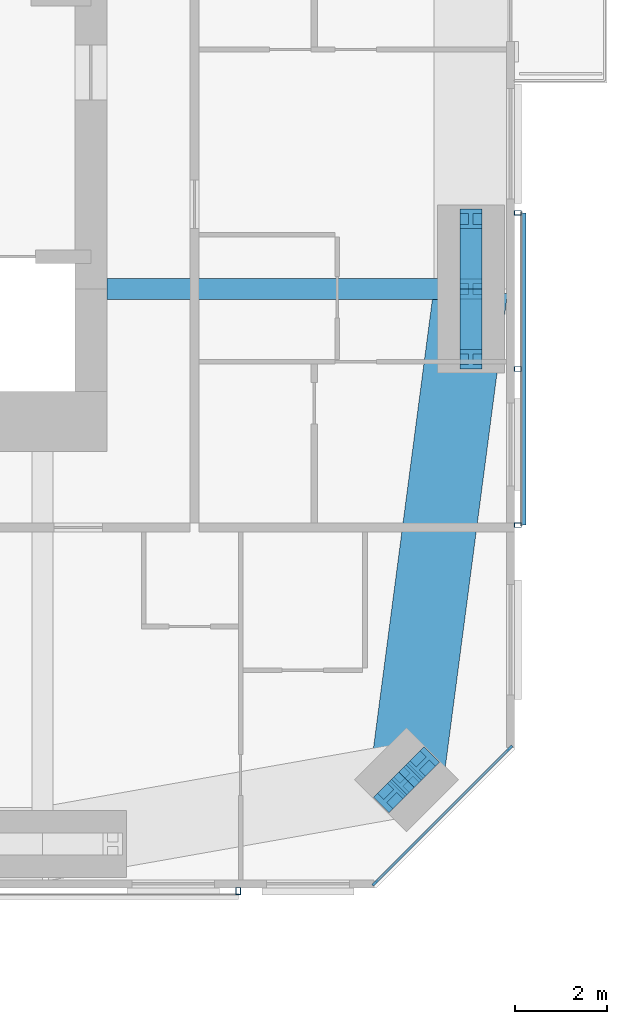
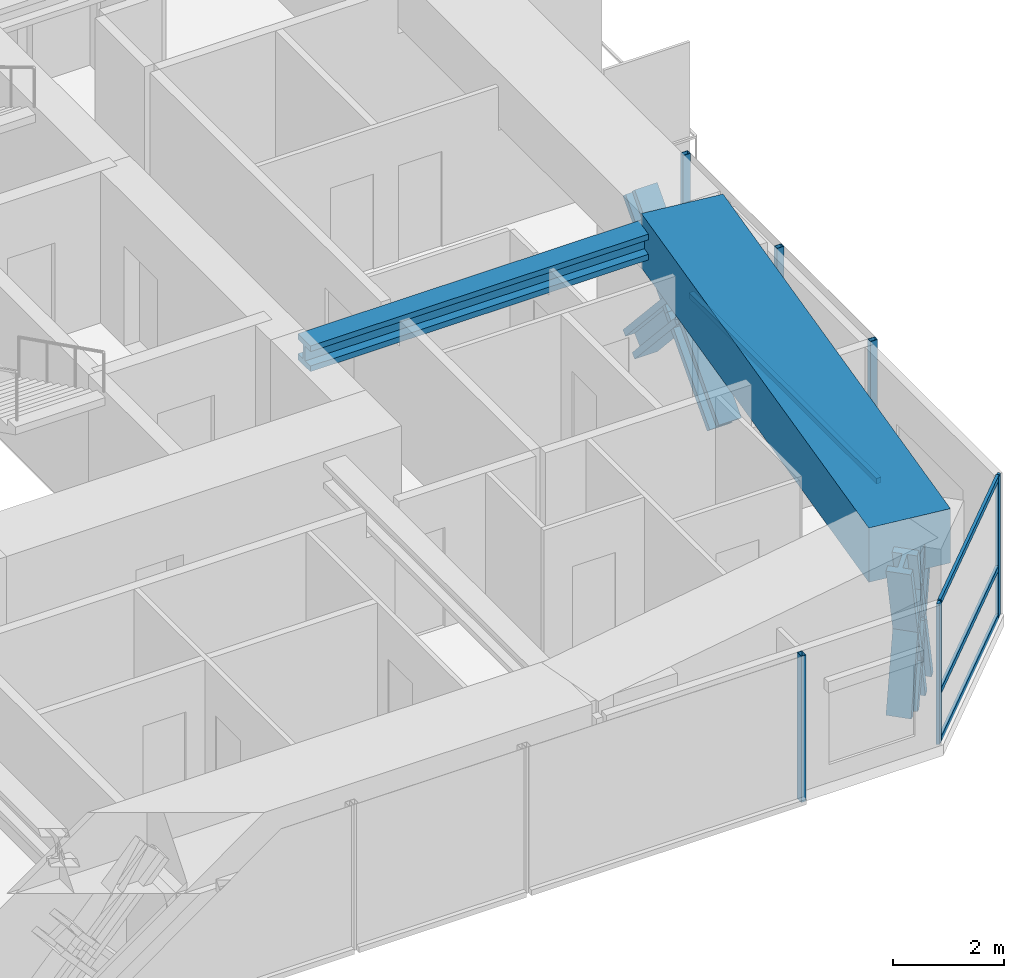
# One storey, part 8 of 23: 18 members, 2 beams, 3 elements without a shape of their own.
"""IFC4 building model written with IfcOpenShell, lengths in metres."""

from ifc_helpers import new_model, si_unit, direction, frame, origin, origin_2d, place, context, subcontext, project, spatial, rectangle, hollow_rectangle, i_section, extrude, material, material_profile, profile_set, type_object, element, aggregate, save


model = new_model("IFC4")

# Units and contexts
model_context = context("Model", 3, precision=1e-05, world=origin(), true_north=direction((0.0, 1.0)))
body_context = subcontext(model_context, "Body", "Model", "MODEL_VIEW")
ifc_project = project(units=[si_unit("LENGTHUNIT", "METRE"), si_unit("AREAUNIT", "SQUARE_METRE"), si_unit("VOLUMEUNIT", "CUBIC_METRE"), si_unit("PLANEANGLEUNIT", "RADIAN"), si_unit("MASSUNIT", "GRAM", prefix="KILO")], contexts=[model_context])

# Site, building, storey
site_placement = place(None, origin())
site = spatial("IfcSite", under=ifc_project, at=site_placement, CompositionType="ELEMENT")
building_placement = place(site_placement, origin())
building = spatial("IfcBuilding", under=site, at=building_placement, Name="Jalousie Tower", CompositionType="ELEMENT")
storey_placement = place(building_placement, frame((0.0, 0.0, 187.85009765625)))
storey = spatial("IfcBuildingStorey", under=building, at=storey_placement, Name="L51", CompositionType="ELEMENT", Elevation=187.85009765625)

# Curtain wall, members
ifc_material_1 = material(Name="Aluminium curtain wall", Category="aluminium")
curtain_wall_type_1 = type_object("IfcCurtainWallType", Name="CORNER WINDOW WALL", PredefinedType="USERDEFINED", material=ifc_material_1)
curtain_wall_1_placement = place(storey_placement, origin())
curtain_wall_1 = element("IfcCurtainWall", 1, at=curtain_wall_1_placement, inside=storey, type_object=curtain_wall_type_1, Name="Corner Window Wall L51 2", ObjectType="CORNER WINDOW WALL", PredefinedType="USERDEFINED")
ifc_material_2 = material(Name="Aluminium mullion", Category="aluminium")
ifc_material_profile_1 = material_profile(ifc_material_2, rectangle(XDim=0.06005859375, YDim=0.14990234375, at=origin_2d()), Name="MULLION 60x150")
ifc_profile_set_1 = profile_set([ifc_material_profile_1], Name="Aluminium mullion")
member_type_1 = type_object("IfcMemberType", Name="CORNER WINDOW WALL MULLION", PredefinedType="MULLION", material=ifc_profile_set_1)
member_1_placement = place(storey_placement, frame((49.969970703125, 0.108642578125, 0.0), z_axis=(0.0, 0.0, 1.0), x_axis=(-0.707106781187, 0.707106781187, 0.0)))
member_1 = element("IfcMember", 2, at=member_1_placement, type_object=member_type_1, Name="CW-C mullion 1", PredefinedType="MULLION", context=body_context, shape_type="SweptSolid", body=[
    extrude(rectangle(XDim=0.06005859375, YDim=0.14990234375, at=origin_2d()), origin(), (0.0, 0.0, 1.0), 3.10986328125),
])
member_2_placement = place(storey_placement, frame((52.891357421875, 3.030029296875, 0.0), z_axis=(0.0, 0.0, 1.0), x_axis=(-0.707106781187, 0.707106781187, 0.0)))
member_2 = element("IfcMember", 3, at=member_2_placement, type_object=member_type_1, Name="CW-C mullion 2", PredefinedType="MULLION", context=body_context, shape_type="SweptSolid", body=[
    extrude(rectangle(XDim=0.06005859375, YDim=0.14990234375, at=origin_2d()), origin(), (0.0, 0.0, 1.0), 3.10986328125),
])
ifc_material_3 = material(Name="Aluminium transom", Category="aluminium")
ifc_material_profile_2 = material_profile(ifc_material_3, rectangle(XDim=0.06005859375, YDim=0.1201171875, at=origin_2d()), Name="TRANSOM 60x120")
ifc_profile_set_2 = profile_set([ifc_material_profile_2], Name="Aluminium transom")
member_type_2 = type_object("IfcMemberType", Name="CORNER WINDOW WALL TRANSOM", PredefinedType="USERDEFINED", material=ifc_profile_set_2)
member_3_placement = place(storey_placement, frame((49.9912109375, 0.1298828125, 0.02978515625), z_axis=(0.707106781187, 0.707106781187, 0.0), x_axis=(-0.707106781187, 0.707106781187, 0.0)))
member_3 = element("IfcMember", 4, at=member_3_placement, type_object=member_type_2, Name="CW-C transom 1.1", ObjectType="TRANSOM", PredefinedType="USERDEFINED", context=body_context, shape_type="SweptSolid", body=[
    extrude(rectangle(XDim=0.06005859375, YDim=0.1201171875, at=origin_2d()), origin(), (0.0, 0.0, 1.0), 4.0712890625),
])
member_4_placement = place(storey_placement, frame((49.9912109375, 0.1298828125, 1.099853515625), z_axis=(0.707106781187, 0.707106781187, 0.0), x_axis=(-0.707106781187, 0.707106781187, 0.0)))
member_4 = element("IfcMember", 5, at=member_4_placement, type_object=member_type_2, Name="CW-C transom 1.2", ObjectType="TRANSOM", PredefinedType="USERDEFINED", context=body_context, shape_type="SweptSolid", body=[
    extrude(rectangle(XDim=0.06005859375, YDim=0.1201171875, at=origin_2d()), origin(), (0.0, 0.0, 1.0), 4.0712890625),
])
member_5_placement = place(storey_placement, frame((49.9912109375, 0.1298828125, 3.079833984375), z_axis=(0.707106781187, 0.707106781187, 0.0), x_axis=(-0.707106781187, 0.707106781187, 0.0)))
member_5 = element("IfcMember", 6, at=member_5_placement, type_object=member_type_2, Name="CW-C transom 1.3", ObjectType="TRANSOM", PredefinedType="USERDEFINED", context=body_context, shape_type="SweptSolid", body=[
    extrude(rectangle(XDim=0.06005859375, YDim=0.1201171875, at=origin_2d()), origin(), (0.0, 0.0, 1.0), 4.0712890625),
])
aggregate(curtain_wall_1, [member_1, member_2, member_3, member_4, member_5])

# Beam
ifc_material_4 = material(Name="Steel ASTM A992 Grade 50", Category="steel")
ifc_material_profile_3 = material_profile(ifc_material_4, i_section(OverallWidth=0.45458984375, OverallDepth=0.569091796875, WebThickness=0.077880859375, FlangeThickness=0.124755859375, at=origin_2d()), Name="W14X730")
ifc_profile_set_3 = profile_set([ifc_material_profile_3], Name="Steel ASTM A992 Grade 50")
beam_type_1 = type_object("IfcBeamType", Name="LEAN COLLECTOR W14X730", PredefinedType="BEAM", material=ifc_profile_set_3)
beam_1_placement = place(storey_placement, frame((52.050048828125, 13.0, 2.825439453125), z_axis=(-1.0, 0.0, 0.0), x_axis=(0.0, -1.0, 0.0)))
element("IfcBeam", 7, at=beam_1_placement, inside=storey, type_object=beam_type_1, Name="Lean collector under L52", PredefinedType="BEAM", context=body_context, shape_type="SweptSolid", body=[
    extrude(i_section(OverallWidth=0.45458984375, OverallDepth=0.569091796875, WebThickness=0.077880859375, FlangeThickness=0.124755859375, at=origin_2d()), origin(), (0.0, 0.0, 1.0), 7.900146484375),
])

# Members
ifc_material_5 = material(Name="Steel ASTM A992 Grade 50", Category="steel")
ifc_material_profile_4 = material_profile(ifc_material_5, i_section(OverallWidth=0.472412109375, OverallDepth=0.5791015625, WebThickness=0.094970703125, FlangeThickness=0.1298828125, at=origin_2d()), Name="W14X808")
ifc_profile_set_4 = profile_set([ifc_material_profile_4], Name="Steel ASTM A992 Grade 50")
member_type_3 = type_object("IfcMemberType", Name="PERIMETER BRACE W14X808", PredefinedType="BRACE", material=ifc_profile_set_4)
for number, where, z_axis, x_axis, name in (
    (8, (50.2978515625, 1.9951171875, -0.60009765625), (0.202372069365, 0.202092742837, 0.958229653493), (-0.706618279267, 0.707594945859, 0.0), "Perimeter brace 05 L51 part 1"),
    (9, (50.651611328125, 2.348388671875, 1.074951171875), (0.202092742837, 0.202372069365, 0.958229653493), (-0.707594945859, 0.706618279267, 0.0), "Perimeter brace 05 L51 part 2"),
    (10, (51.0048828125, 2.7021484375, -0.60009765625), (-0.202092742837, -0.202372069365, 0.958229653493), (0.707594945859, -0.706618279267, 0.0), "Perimeter brace 05 L51 part 3"),
    (11, (50.651611328125, 2.348388671875, 1.074951171875), (-0.202372069365, -0.202092742837, 0.958229653493), (0.706618279267, -0.707594945859, 0.0), "Perimeter brace 05 L51 part 4"),
):
    element("IfcMember", number, at=place(storey_placement, frame(where, z_axis=z_axis, x_axis=x_axis)), inside=storey, type_object=member_type_3, Name=name, PredefinedType="BRACE", context=body_context, shape_type="SweptSolid", body=[
        extrude(i_section(OverallWidth=0.472412109375, OverallDepth=0.5791015625, WebThickness=0.094970703125, FlangeThickness=0.1298828125, at=origin_2d()), origin(), (0.0, 0.0, 1.0), 1.748046875),
    ])
for number, where, z_axis, x_axis, name in (
    (12, (52.050048828125, 11.47509765625, -0.60009765625), (0.0, 0.673187629365, 0.739471713908), (-1.0, 0.0, 0.0), "Perimeter brace 06 L51 part 1"),
    (13, (52.050048828125, 13.0, 1.074951171875), (0.0, 0.673187629365, 0.739471713908), (-1.0, 0.0, 0.0), "Perimeter brace 06 L51 part 2"),
    (14, (52.050048828125, 14.52490234375, -0.60009765625), (0.0, -0.673187629365, 0.739471713908), (1.0, 0.0, 0.0), "Perimeter brace 06 L51 part 3"),
    (15, (52.050048828125, 13.0, 1.074951171875), (0.0, -0.673187629365, 0.739471713908), (1.0, 0.0, 0.0), "Perimeter brace 06 L51 part 4"),
):
    element("IfcMember", number, at=place(storey_placement, frame(where, z_axis=z_axis, x_axis=x_axis)), inside=storey, type_object=member_type_3, Name=name, PredefinedType="BRACE", context=body_context, shape_type="SweptSolid", body=[
        extrude(i_section(OverallWidth=0.472412109375, OverallDepth=0.5791015625, WebThickness=0.094970703125, FlangeThickness=0.1298828125, at=origin_2d()), origin(), (0.0, 0.0, 1.0), 2.26513671875),
    ])

# Beam
ifc_material_6 = material(Name="Concrete f'c 40 MPa", Category="concrete")
ifc_material_profile_5 = material_profile(ifc_material_6, rectangle(XDim=1.60009765625, YDim=1.199951171875, at=origin_2d()), Name="RC 1600x1200")
ifc_profile_set_5 = profile_set([ifc_material_profile_5], Name="Concrete f'c 40 MPa")
beam_type_2 = type_object("IfcBeamType", Name="RC BEAM 1600x1200", PredefinedType="BEAM", material=ifc_profile_set_5)
beam_2_placement = place(storey_placement, frame((50.651611328125, 2.348388671875, 2.75), z_axis=(0.130171745558, 0.991491460709, 0.0), x_axis=(-0.991491460709, 0.130171745558, 0.0)))
element("IfcBeam", 16, at=beam_2_placement, inside=storey, type_object=beam_type_2, Name="Edge band beam 05-06 under L52", PredefinedType="BEAM", context=body_context, shape_type="SweptSolid", body=[
    extrude(rectangle(XDim=1.60009765625, YDim=1.199951171875, at=origin_2d()), origin(), (0.0, 0.0, 1.0), 10.742919921875),
])

# Curtain wall, member
ifc_material_7 = material(Name="Perforated aluminium sheet", Category="aluminium")
curtain_wall_type_2 = type_object("IfcCurtainWallType", Name="SOLAR SCREEN SS-1", PredefinedType="USERDEFINED", material=ifc_material_7)
curtain_wall_2_placement = place(storey_placement, origin())
curtain_wall_2 = element("IfcCurtainWall", 17, at=curtain_wall_2_placement, inside=storey, type_object=curtain_wall_type_2, Name="Solar screen L51", ObjectType="SOLAR SCREEN SS-1", PredefinedType="USERDEFINED")
ifc_material_8 = material(Name="Steel ASTM A500 Grade C", Category="steel")
ifc_material_profile_6 = material_profile(ifc_material_8, hollow_rectangle(XDim=0.1015625, YDim=0.15234375, WallThickness=0.00634765625, at=origin_2d()), Name="HSS6X4X1/4")
ifc_profile_set_6 = profile_set([ifc_material_profile_6], Name="Steel ASTM A500 Grade C")
member_type_4 = type_object("IfcMemberType", Name="SOLAR SCREEN SS-1 MULLION", PredefinedType="MULLION", material=ifc_profile_set_6)
member_6_placement = place(storey_placement, frame((47.0, -0.0712890625, -0.1201171875), z_axis=(0.0, 0.0, 1.0), x_axis=(1.0, 0.0, 0.0)))
member_6 = element("IfcMember", 18, at=member_6_placement, type_object=member_type_4, Name="SS1 post 2", PredefinedType="MULLION", context=body_context, shape_type="SweptSolid", body=[
    extrude(hollow_rectangle(XDim=0.1015625, YDim=0.15234375, WallThickness=0.00634765625, at=origin_2d()), origin(), (0.0, 0.0, 1.0), 3.22998046875),
])
aggregate(curtain_wall_2, [member_6])

# Curtain wall, members
curtain_wall_3_placement = place(storey_placement, origin())
curtain_wall_3 = element("IfcCurtainWall", 19, at=curtain_wall_3_placement, inside=storey, type_object=curtain_wall_type_2, Name="Solar screen L51", ObjectType="SOLAR SCREEN SS-1", PredefinedType="USERDEFINED")
member_7_placement = place(storey_placement, frame((53.0712890625, 7.875, -0.1201171875), z_axis=(0.0, 0.0, 1.0), x_axis=(0.0, 1.0, 0.0)))
member_7 = element("IfcMember", 20, at=member_7_placement, type_object=member_type_4, Name="SS1 post 1", PredefinedType="MULLION", context=body_context, shape_type="SweptSolid", body=[
    extrude(hollow_rectangle(XDim=0.1015625, YDim=0.15234375, WallThickness=0.00634765625, at=origin_2d()), origin(), (0.0, 0.0, 1.0), 3.22998046875),
])
member_8_placement = place(storey_placement, frame((53.0712890625, 11.26416015625, -0.1201171875), z_axis=(0.0, 0.0, 1.0), x_axis=(0.0, 1.0, 0.0)))
member_8 = element("IfcMember", 21, at=member_8_placement, type_object=member_type_4, Name="SS1 post 2", PredefinedType="MULLION", context=body_context, shape_type="SweptSolid", body=[
    extrude(hollow_rectangle(XDim=0.1015625, YDim=0.15234375, WallThickness=0.00634765625, at=origin_2d()), origin(), (0.0, 0.0, 1.0), 3.22998046875),
])
member_9_placement = place(storey_placement, frame((53.0712890625, 14.6533203125, -0.1201171875), z_axis=(0.0, 0.0, 1.0), x_axis=(0.0, 1.0, 0.0)))
member_9 = element("IfcMember", 22, at=member_9_placement, type_object=member_type_4, Name="SS1 post 3", PredefinedType="MULLION", context=body_context, shape_type="SweptSolid", body=[
    extrude(hollow_rectangle(XDim=0.1015625, YDim=0.15234375, WallThickness=0.00634765625, at=origin_2d()), origin(), (0.0, 0.0, 1.0), 3.22998046875),
])
ifc_material_9 = material(Name="Extruded aluminium screen rail", Category="aluminium")
ifc_material_profile_7 = material_profile(ifc_material_9, rectangle(XDim=0.1015625, YDim=0.1201171875, at=origin_2d()), Name="RAIL 102x120")
ifc_profile_set_7 = profile_set([ifc_material_profile_7], Name="Extruded aluminium screen rail")
member_type_5 = type_object("IfcMemberType", Name="SOLAR SCREEN SS-1 TRANSOM", PredefinedType="USERDEFINED", material=ifc_profile_set_7)
member_10_placement = place(storey_placement, frame((53.1982421875, 7.875, -0.06005859375), z_axis=(0.0, 1.0, 0.0), x_axis=(-1.0, 0.0, 0.0)))
member_10 = element("IfcMember", 23, at=member_10_placement, type_object=member_type_5, Name="SS1 rail", ObjectType="TRANSOM", PredefinedType="USERDEFINED", context=body_context, shape_type="SweptSolid", body=[
    extrude(rectangle(XDim=0.1015625, YDim=0.1201171875, at=origin_2d()), origin(), (0.0, 0.0, 1.0), 6.7783203125),
])
aggregate(curtain_wall_3, [member_7, member_8, member_9, member_10])

save(model, "model.ifc")
